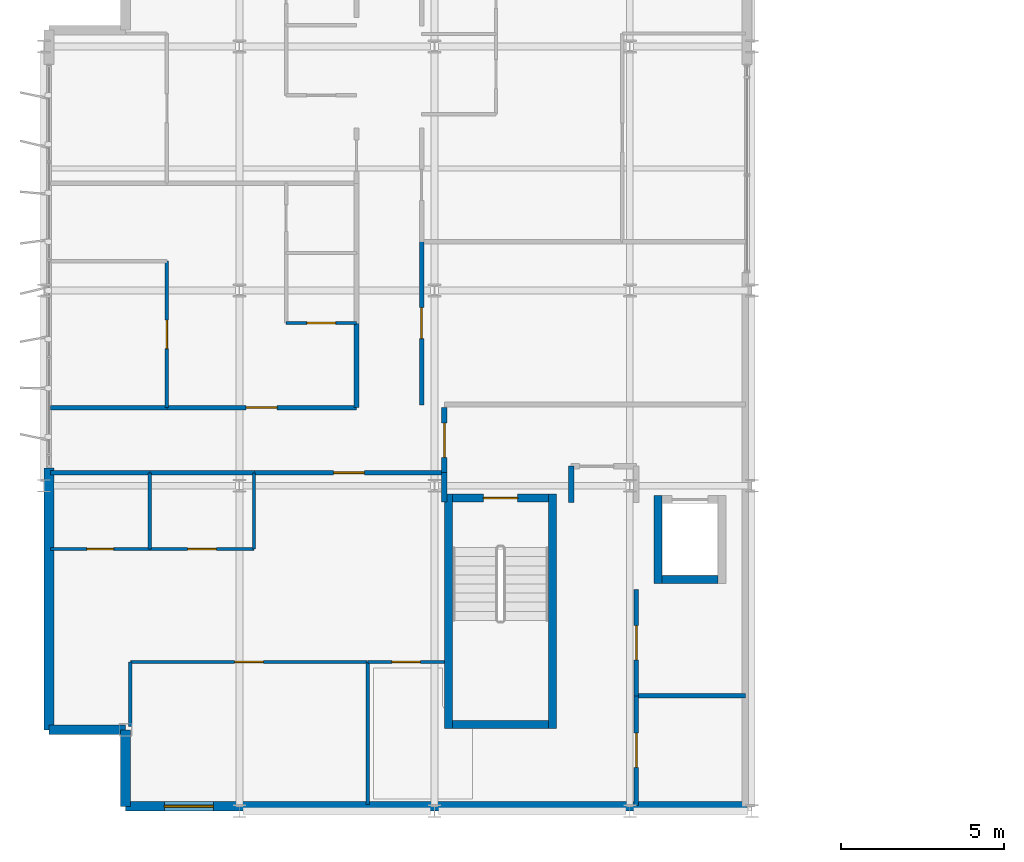
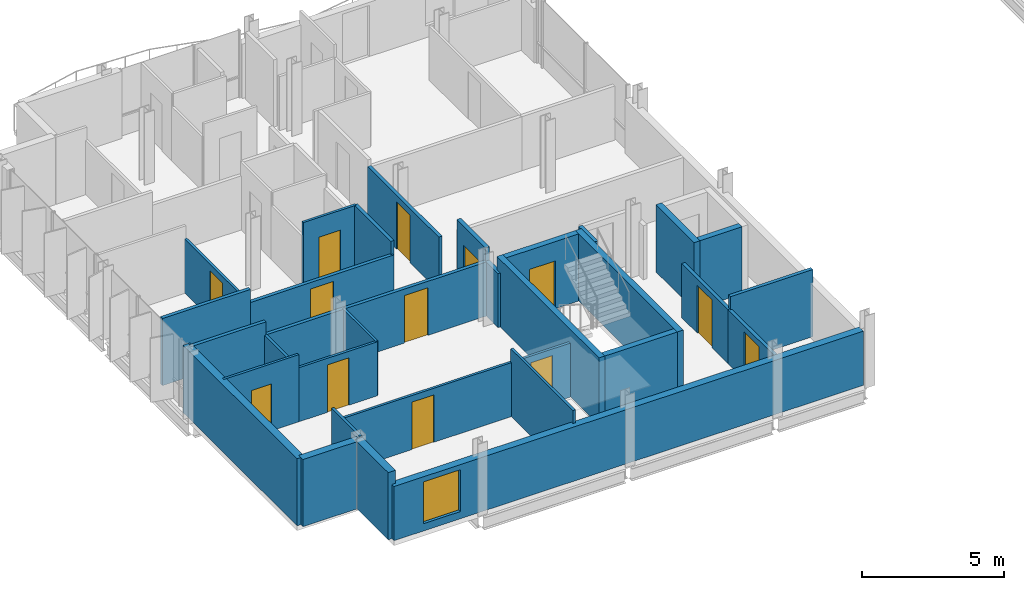
# One storey, part 21 of 29: 33 walls, 13 doors, 1 window, 14 openings.
"""IFC4 building model written with IfcOpenShell, lengths in metres."""

from ifc_helpers import new_model, si_unit, direction, frame, frame_2d, origin, place, context, subcontext, project, spatial, rectangle, extrude, material, layer, layer_set, type_object, element, fill, save


model = new_model("IFC4")

# Units and contexts
model_context = context("Model", 3, precision=1e-05, world=origin(), true_north=direction((0.0, 1.0)))
body_context = subcontext(model_context, "Body", "Model", "MODEL_VIEW")
ifc_project = project(units=[si_unit("LENGTHUNIT", "METRE"), si_unit("AREAUNIT", "SQUARE_METRE"), si_unit("VOLUMEUNIT", "CUBIC_METRE"), si_unit("PLANEANGLEUNIT", "RADIAN"), si_unit("MASSUNIT", "GRAM", prefix="KILO")], contexts=[model_context])

# Site, building, storey
site_placement = place(None, origin())
site = spatial("IfcSite", under=ifc_project, at=site_placement, CompositionType="ELEMENT")
building_placement = place(site_placement, origin())
building = spatial("IfcBuilding", under=site, at=building_placement, Name="Brevholm Reach", CompositionType="ELEMENT")
storey_placement = place(building_placement, frame((0.0, 0.0, 198.699951171875)))
storey = spatial("IfcBuildingStorey", under=building, at=storey_placement, Name="L60", CompositionType="ELEMENT", Elevation=198.699951171875)

# Walls
ifc_material_1 = material(Name="Concrete C45/55", Category="concrete")
ifc_layer_1 = layer(ifc_material_1, 0.239990234375)
ifc_layer_set_1 = layer_set([ifc_layer_1], Name="Concrete C45/55")
wall_type_1 = type_object("IfcWallType", Name="WAL-COR-240", PredefinedType="SHEAR", material=ifc_layer_set_1)
for number, where, z_axis, x_axis, name in (
    (1, (12.429931640625, 2.5400390625, 0.0), (0.0, 0.0, 1.0), (0.0, 1.0, 0.0), "L60 Escape Stair ST-1 Core Wall W"),
    (2, (15.6201171875, 2.5400390625, 0.0), (0.0, 0.0, 1.0), (0.0, 1.0, 0.0), "L60 Escape Stair ST-1 Core Wall E"),
):
    element("IfcWall", number, at=place(storey_placement, frame(where, z_axis=z_axis, x_axis=x_axis)), inside=storey, type_object=wall_type_1, Name=name, PredefinedType="SHEAR", context=body_context, shape_type="SweptSolid", body=[
        extrude(rectangle(XDim=7.199951171875, YDim=0.239990234375, at=frame_2d((3.60009765625, 0.0))), origin(), (0.0, 0.0, 1.0), 2.89013671875),
    ])
wall_1_placement = place(storey_placement, frame((12.550048828125, 2.659912109375, 0.0), z_axis=(0.0, 0.0, 1.0), x_axis=(1.0, 0.0, 0.0)))
element("IfcWall", 3, at=wall_1_placement, inside=storey, type_object=wall_type_1, Name="L60 Escape Stair ST-1 Core Wall S", PredefinedType="SHEAR", context=body_context, shape_type="SweptSolid", body=[
    extrude(rectangle(XDim=2.949951171875, YDim=0.239990234375, at=frame_2d((1.47509765625, 0.0))), origin(), (0.0, 0.0, 1.0), 2.89013671875),
])

# Wall, opening, door
wall_2_placement = place(storey_placement, frame((15.5, 9.6201171875, 0.0), z_axis=(0.0, 0.0, 1.0), x_axis=(-1.0, 0.0, 0.0)))
wall_2 = element("IfcWall", 4, at=wall_2_placement, inside=storey, type_object=wall_type_1, Name="L60 Escape Stair ST-1 Core Wall N", PredefinedType="SHEAR", context=body_context, shape_type="SweptSolid", body=[
    extrude(rectangle(XDim=2.949951171875, YDim=0.239990234375, at=frame_2d((1.47509765625, 0.0))), origin(), (0.0, 0.0, 1.0), 2.89013671875),
])
opening_1_placement = place(wall_2_placement, frame((0.949951171875, 0.0, 0.0)))
opening_1 = element("IfcOpeningElement", 5, at=opening_1_placement, cuts=wall_2, Name="Opening SD-ST-1", PredefinedType="OPENING", context=body_context, shape_type="SweptSolid", body=[
    extrude(rectangle(XDim=1.050048828125, YDim=2.06005859375, at=frame_2d((0.52490234375, 1.030029296875))), frame((0.0, 0.1298828125, 0.0), z_axis=(0.0, -1.0, 0.0), x_axis=(1.0, 0.0, 0.0)), (0.0, 0.0, 1.0), 0.260009765625),
])
ifc_material_2 = material(Name="Hardwood-Lipped Steel-Core Fire and Smoke Door", Category="steel")
door_type_1 = type_object("IfcDoorType", Name="DOR-INT-FD60S", OperationType="NOTDEFINED", PredefinedType="DOOR", material=ifc_material_2)
door_1_placement = place(opening_1_placement, origin())
door_1 = element("IfcDoor", 6, at=door_1_placement, inside=storey, type_object=door_type_1, Name="L60 Protected Stair ST-1 Lobby Door", OperationType="SINGLE_SWING_RIGHT", OverallHeight=2.06005859375, OverallWidth=1.050048828125, PredefinedType="DOOR", context=body_context, shape_type="SweptSolid", body=[
    extrude(rectangle(XDim=1.050048828125, YDim=2.06005859375, at=frame_2d((0.52490234375, 1.030029296875))), frame((0.0, 0.02490234375, 0.0), z_axis=(0.0, -1.0, 0.0), x_axis=(1.0, 0.0, 0.0)), (0.0, 0.0, 1.0), 0.050048828125),
])
fill(opening_1, door_1)

# Walls
wall_3_placement = place(storey_placement, frame((18.8701171875, 7.0, 0.0), z_axis=(0.0, 0.0, 1.0), x_axis=(0.0, 1.0, 0.0)))
element("IfcWall", 7, at=wall_3_placement, inside=storey, type_object=wall_type_1, Name="L60 Lift FFL-1 Shaft Wall W", PredefinedType="SHEAR", context=body_context, shape_type="SweptSolid", body=[
    extrude(rectangle(XDim=2.699951171875, YDim=0.239990234375, at=frame_2d((1.35009765625, 0.0))), origin(), (0.0, 0.0, 1.0), 2.89013671875),
])
wall_4_placement = place(storey_placement, frame((18.989990234375, 7.1201171875, 0.0), z_axis=(0.0, 0.0, 1.0), x_axis=(1.0, 0.0, 0.0)))
element("IfcWall", 8, at=wall_4_placement, inside=storey, type_object=wall_type_1, Name="L60 Lift FFL-1 Shaft Wall S", PredefinedType="SHEAR", context=body_context, shape_type="SweptSolid", body=[
    extrude(rectangle(XDim=1.719970703125, YDim=0.239990234375, at=frame_2d((0.85986328125, 0.0))), origin(), (0.0, 0.0, 1.0), 2.89013671875),
])
ifc_material_3 = material(Name="Concrete C40/50", Category="concrete")
ifc_layer_2 = layer(ifc_material_3, 0.300048828125)
ifc_layer_set_2 = layer_set([ifc_layer_2], Name="Concrete C40/50")
wall_type_2 = type_object("IfcWallType", Name="WAL-EXT-300", PredefinedType="STANDARD", material=ifc_layer_set_2)
for number, where, z_axis, x_axis, name in (
    (9, (2.5, 2.5, 0.0), (0.0, 0.0, 1.0), (0.0, -1.0, 0.0), "L60 Facade Wall WAL-L60-WW-CSW1"),
    (10, (0.14990234375, 2.5, 0.0), (0.0, 0.0, 1.0), (1.0, 0.0, 0.0), "L60 Facade Wall WAL-L60-WW-CSW2"),
):
    element("IfcWall", number, at=place(storey_placement, frame(where, z_axis=z_axis, x_axis=x_axis)), inside=storey, type_object=wall_type_2, Name=name, PredefinedType="STANDARD", context=body_context, shape_type="SweptSolid", body=[
        extrude(rectangle(XDim=2.35009765625, YDim=0.300048828125, at=frame_2d((1.175048828125, 0.0))), origin(), (0.0, 0.0, 1.0), 2.89013671875),
    ])

# Wall, opening, window
wall_5_placement = place(storey_placement, frame((2.5, 0.14990234375, 0.0), z_axis=(0.0, 0.0, 1.0), x_axis=(1.0, 0.0, 0.0)))
wall_5 = element("IfcWall", 11, at=wall_5_placement, inside=storey, type_object=wall_type_2, Name="L60 Facade Wall WAL-L60-WW-S", PredefinedType="STANDARD", context=body_context, shape_type="SweptSolid", body=[
    extrude(rectangle(XDim=19.10009765625, YDim=0.300048828125, at=frame_2d((9.550048828125, 0.0))), origin(), (0.0, 0.0, 1.0), 2.33203125),
])
opening_2_placement = place(wall_5_placement, frame((1.199951171875, 0.0, 0.31201171875)))
opening_2 = element("IfcOpeningElement", 12, at=opening_2_placement, cuts=wall_5, Name="Opening WN-05", PredefinedType="OPENING", context=body_context, shape_type="SweptSolid", body=[
    extrude(rectangle(XDim=1.5, YDim=1.800048828125, at=frame_2d((0.75, 0.89990234375))), frame((0.0, 0.159912109375, 0.0), z_axis=(0.0, -1.0, 0.0), x_axis=(1.0, 0.0, 0.0)), (0.0, 0.0, 1.0), 0.320068359375),
])
ifc_material_4 = material(Name="Dark Anodised Aluminium and Solar-Control IGU Glass", Category="aluminium")
window_type = type_object("IfcWindowType", Name="WIN-RES-1500", PartitioningType="SINGLE_PANEL", PredefinedType="WINDOW", material=ifc_material_4)
window_placement = place(opening_2_placement, origin())
window = element("IfcWindow", 13, at=window_placement, inside=storey, type_object=window_type, Name="L60 Window WIN-L60-WWS-1", OverallHeight=1.800048828125, OverallWidth=1.5, PartitioningType="SINGLE_PANEL", PredefinedType="WINDOW", context=body_context, shape_type="SweptSolid", body=[
    extrude(rectangle(XDim=1.5, YDim=1.800048828125, at=frame_2d((0.75, 0.89990234375))), frame((0.0, 0.030029296875, 0.0), z_axis=(0.0, -1.0, 0.0), x_axis=(1.0, 0.0, 0.0)), (0.0, 0.0, 1.0), 0.06005859375),
])
fill(opening_2, window)

# Walls
wall_6_placement = place(storey_placement, frame((0.14990234375, 10.550048828125, 0.0), z_axis=(0.0, 0.0, 1.0), x_axis=(0.0, -1.0, 0.0)))
element("IfcWall", 14, at=wall_6_placement, inside=storey, type_object=wall_type_2, Name="L60 Facade Wall WAL-L60-WW-WS", PredefinedType="STANDARD", context=body_context, shape_type="SweptSolid", body=[
    extrude(rectangle(XDim=8.050048828125, YDim=0.300048828125, at=frame_2d((4.02490234375, 0.0))), origin(), (0.0, 0.0, 1.0), 2.89013671875),
])
ifc_material_5 = material(Name="Moisture-Resistant Acoustic Gypsum Stud Partition 100 mm", Category="gypsum")
ifc_layer_3 = layer(ifc_material_5, 0.10009765625)
ifc_layer_set_3 = layer_set([ifc_layer_3], Name="Moisture-Resistant Acoustic Gypsum Stud Partition 100 mm")
wall_type_3 = type_object("IfcWallType", Name="WAL-PRT-100", PredefinedType="PARTITIONING", material=ifc_layer_set_3)
wall_7_placement = place(storey_placement, frame((3.25, 8.053955078125, 0.0), z_axis=(0.0, 0.0, 1.0), x_axis=(0.0, 1.0, 0.0)))
element("IfcWall", 15, at=wall_7_placement, inside=storey, type_object=wall_type_3, Name="L60 Internal Partition 039", PredefinedType="PARTITIONING", context=body_context, shape_type="SweptSolid", body=[
    extrude(rectangle(XDim=2.342041015625, YDim=0.10009765625, at=frame_2d((1.1708984375, 0.0))), origin(), (0.0, 0.0, 1.0), 2.325439453125),
])

# Wall, opening, door
wall_8_placement = place(storey_placement, frame((0.199951171875, 8.053955078125, 0.0), z_axis=(0.0, 0.0, 1.0), x_axis=(1.0, 0.0, 0.0)))
wall_8 = element("IfcWall", 16, at=wall_8_placement, inside=storey, type_object=wall_type_3, Name="L60 Internal Partition 040", PredefinedType="PARTITIONING", context=body_context, shape_type="SweptSolid", body=[
    extrude(rectangle(XDim=3.050048828125, YDim=0.10009765625, at=frame_2d((1.52490234375, 0.0))), origin(), (0.0, 0.0, 1.0), 2.89013671875),
])
opening_3_placement = place(wall_8_placement, frame((1.114990234375, 0.0, 0.0)))
opening_3 = element("IfcOpeningElement", 17, at=opening_3_placement, cuts=wall_8, Name="Opening ID-03", PredefinedType="OPENING", context=body_context, shape_type="SweptSolid", body=[
    extrude(rectangle(XDim=0.820068359375, YDim=2.02001953125, at=frame_2d((0.41015625, 1.010009765625))), frame((0.0, 0.06005859375, 0.0), z_axis=(0.0, -1.0, 0.0), x_axis=(1.0, 0.0, 0.0)), (0.0, 0.0, 1.0), 0.1201171875),
])
ifc_material_6 = material(Name="Moisture-Resistant Painted Timber Internal Bathroom Door", Category="wood")
door_type_2 = type_object("IfcDoorType", Name="DOR-BATH-820", OperationType="NOTDEFINED", PredefinedType="DOOR", material=ifc_material_6)
door_2_placement = place(opening_3_placement, origin())
door_2 = element("IfcDoor", 18, at=door_2_placement, inside=storey, type_object=door_type_2, Name="L60 Internal Door 019", OperationType="SINGLE_SWING_RIGHT", OverallHeight=2.02001953125, OverallWidth=0.820068359375, PredefinedType="DOOR", context=body_context, shape_type="SweptSolid", body=[
    extrude(rectangle(XDim=0.820068359375, YDim=2.02001953125, at=frame_2d((0.41015625, 1.010009765625))), frame((0.0, 0.02490234375, 0.0), z_axis=(0.0, -1.0, 0.0), x_axis=(1.0, 0.0, 0.0)), (0.0, 0.0, 1.0), 0.050048828125),
])
fill(opening_3, door_2)

wall_9_placement = place(storey_placement, frame((3.25390625, 8.053955078125, 0.0), z_axis=(0.0, 0.0, 1.0), x_axis=(1.0, 0.0, 0.0)))
wall_9 = element("IfcWall", 19, at=wall_9_placement, inside=storey, type_object=wall_type_3, Name="L60 Internal Partition 041", PredefinedType="PARTITIONING", context=body_context, shape_type="SweptSolid", body=[
    extrude(rectangle(XDim=3.196044921875, YDim=0.10009765625, at=frame_2d((1.59814453125, 0.0))), origin(), (0.0, 0.0, 1.0), 2.325439453125),
])
opening_4_placement = place(wall_9_placement, frame((1.157958984375, 0.0, 0.0)))
opening_4 = element("IfcOpeningElement", 20, at=opening_4_placement, cuts=wall_9, Name="Opening ID-01", PredefinedType="OPENING", context=body_context, shape_type="SweptSolid", body=[
    extrude(rectangle(XDim=0.8798828125, YDim=2.0400390625, at=frame_2d((0.43994140625, 1.02001953125))), frame((0.0, 0.06005859375, 0.0), z_axis=(0.0, -1.0, 0.0), x_axis=(1.0, 0.0, 0.0)), (0.0, 0.0, 1.0), 0.1201171875),
])
ifc_material_7 = material(Name="Lacquered Ash Solid-Core Acoustic Internal Door", Category="timber")
door_type_3 = type_object("IfcDoorType", Name="DOR-INT-880", OperationType="NOTDEFINED", PredefinedType="DOOR", material=ifc_material_7)
door_3_placement = place(opening_4_placement, origin())
door_3 = element("IfcDoor", 21, at=door_3_placement, inside=storey, type_object=door_type_3, Name="L60 Internal Door 020", OperationType="SINGLE_SWING_LEFT", OverallHeight=2.0400390625, OverallWidth=0.8798828125, PredefinedType="DOOR", context=body_context, shape_type="SweptSolid", body=[
    extrude(rectangle(XDim=0.8798828125, YDim=2.0400390625, at=frame_2d((0.43994140625, 1.02001953125))), frame((0.0, 0.02490234375, 0.0), z_axis=(0.0, -1.0, 0.0), x_axis=(1.0, 0.0, 0.0)), (0.0, 0.0, 1.0), 0.050048828125),
])
fill(opening_4, door_3)

# Walls
wall_10_placement = place(storey_placement, frame((6.449951171875, 8.053955078125, 0.0), z_axis=(0.0, 0.0, 1.0), x_axis=(0.0, 1.0, 0.0)))
element("IfcWall", 22, at=wall_10_placement, inside=storey, type_object=wall_type_3, Name="L60 Internal Partition 042", PredefinedType="PARTITIONING", context=body_context, shape_type="SweptSolid", body=[
    extrude(rectangle(XDim=2.342041015625, YDim=0.10009765625, at=frame_2d((1.1708984375, 0.0))), origin(), (0.0, 0.0, 1.0), 2.325439453125),
])
wall_11_placement = place(storey_placement, frame((9.946044921875, 0.199951171875, 0.0), z_axis=(0.0, 0.0, 1.0), x_axis=(0.0, 1.0, 0.0)))
element("IfcWall", 23, at=wall_11_placement, inside=storey, type_object=wall_type_3, Name="L60 Internal Partition 043", PredefinedType="PARTITIONING", context=body_context, shape_type="SweptSolid", body=[
    extrude(rectangle(XDim=4.385986328125, YDim=0.10009765625, at=frame_2d((2.19287109375, 0.0))), origin(), (0.0, 0.0, 1.0), 2.89013671875),
])
wall_12_placement = place(storey_placement, frame((2.64990234375, 2.599365234375, 0.0), z_axis=(0.0, 0.0, 1.0), x_axis=(0.0, 1.0, 0.0)))
element("IfcWall", 24, at=wall_12_placement, inside=storey, type_object=wall_type_3, Name="L60 Internal Partition 044", PredefinedType="PARTITIONING", context=body_context, shape_type="SweptSolid", body=[
    extrude(rectangle(XDim=1.986572265625, YDim=0.10009765625, at=frame_2d((0.9931640625, 0.0))), origin(), (0.0, 0.0, 1.0), 2.89013671875),
])

# Wall, opening, door
wall_13_placement = place(storey_placement, frame((2.64990234375, 4.5859375, 0.0), z_axis=(0.0, 0.0, 1.0), x_axis=(1.0, 0.0, 0.0)))
wall_13 = element("IfcWall", 25, at=wall_13_placement, inside=storey, type_object=wall_type_3, Name="L60 Internal Partition 045", PredefinedType="PARTITIONING", context=body_context, shape_type="SweptSolid", body=[
    extrude(rectangle(XDim=7.296142578125, YDim=0.10009765625, at=frame_2d((3.64794921875, 0.0))), origin(), (0.0, 0.0, 1.0), 2.325439453125),
])
opening_5_placement = place(wall_13_placement, frame((3.2080078125, 0.0, 0.0)))
opening_5 = element("IfcOpeningElement", 26, at=opening_5_placement, cuts=wall_13, Name="Opening ID-01", PredefinedType="OPENING", context=body_context, shape_type="SweptSolid", body=[
    extrude(rectangle(XDim=0.8798828125, YDim=2.0400390625, at=frame_2d((0.43994140625, 1.02001953125))), frame((0.0, 0.06005859375, 0.0), z_axis=(0.0, -1.0, 0.0), x_axis=(1.0, 0.0, 0.0)), (0.0, 0.0, 1.0), 0.1201171875),
])
door_4_placement = place(opening_5_placement, origin())
door_4 = element("IfcDoor", 27, at=door_4_placement, inside=storey, type_object=door_type_3, Name="L60 Internal Door 021", OperationType="SINGLE_SWING_RIGHT", OverallHeight=2.0400390625, OverallWidth=0.8798828125, PredefinedType="DOOR", context=body_context, shape_type="SweptSolid", body=[
    extrude(rectangle(XDim=0.8798828125, YDim=2.0400390625, at=frame_2d((0.43994140625, 1.02001953125))), frame((0.0, 0.02490234375, 0.0), z_axis=(0.0, -1.0, 0.0), x_axis=(1.0, 0.0, 0.0)), (0.0, 0.0, 1.0), 0.050048828125),
])
fill(opening_5, door_4)

wall_14_placement = place(storey_placement, frame((9.949951171875, 4.5859375, 0.0), z_axis=(0.0, 0.0, 1.0), x_axis=(1.0, 0.0, 0.0)))
wall_14 = element("IfcWall", 28, at=wall_14_placement, inside=storey, type_object=wall_type_3, Name="L60 Internal Partition 046", PredefinedType="PARTITIONING", context=body_context, shape_type="SweptSolid", body=[
    extrude(rectangle(XDim=2.35009765625, YDim=0.10009765625, at=frame_2d((1.175048828125, 0.0))), origin(), (0.0, 0.0, 1.0), 2.325439453125),
])
opening_6_placement = place(wall_14_placement, frame((0.735107421875, 0.0, 0.0)))
opening_6 = element("IfcOpeningElement", 29, at=opening_6_placement, cuts=wall_14, Name="Opening ID-01", PredefinedType="OPENING", context=body_context, shape_type="SweptSolid", body=[
    extrude(rectangle(XDim=0.8798828125, YDim=2.0400390625, at=frame_2d((0.43994140625, 1.02001953125))), frame((0.0, 0.06005859375, 0.0), z_axis=(0.0, -1.0, 0.0), x_axis=(1.0, 0.0, 0.0)), (0.0, 0.0, 1.0), 0.1201171875),
])
door_5_placement = place(opening_6_placement, origin())
door_5 = element("IfcDoor", 30, at=door_5_placement, inside=storey, type_object=door_type_3, Name="L60 Internal Door 022", OperationType="SINGLE_SWING_LEFT", OverallHeight=2.0400390625, OverallWidth=0.8798828125, PredefinedType="DOOR", context=body_context, shape_type="SweptSolid", body=[
    extrude(rectangle(XDim=0.8798828125, YDim=2.0400390625, at=frame_2d((0.43994140625, 1.02001953125))), frame((0.0, 0.02490234375, 0.0), z_axis=(0.0, -1.0, 0.0), x_axis=(1.0, 0.0, 0.0)), (0.0, 0.0, 1.0), 0.050048828125),
])
fill(opening_6, door_5)

wall_15_placement = place(storey_placement, frame((7.43798828125, 15.0, 0.0), z_axis=(0.0, 0.0, 1.0), x_axis=(1.0, 0.0, 0.0)))
wall_15 = element("IfcWall", 31, at=wall_15_placement, inside=storey, type_object=wall_type_3, Name="L60 Internal Partition 050", PredefinedType="PARTITIONING", context=body_context, shape_type="SweptSolid", body=[
    extrude(rectangle(XDim=2.157958984375, YDim=0.10009765625, at=frame_2d((1.0791015625, 0.0))), origin(), (0.0, 0.0, 1.0), 2.89013671875),
])
opening_7_placement = place(wall_15_placement, frame((0.638916015625, 0.0, 0.0)))
opening_7 = element("IfcOpeningElement", 32, at=opening_7_placement, cuts=wall_15, Name="Opening ID-01", PredefinedType="OPENING", context=body_context, shape_type="SweptSolid", body=[
    extrude(rectangle(XDim=0.8798828125, YDim=2.0400390625, at=frame_2d((0.43994140625, 1.02001953125))), frame((0.0, 0.06005859375, 0.0), z_axis=(0.0, -1.0, 0.0), x_axis=(1.0, 0.0, 0.0)), (0.0, 0.0, 1.0), 0.1201171875),
])
door_6_placement = place(opening_7_placement, origin())
door_6 = element("IfcDoor", 33, at=door_6_placement, inside=storey, type_object=door_type_3, Name="L60 Internal Door 024", OperationType="SINGLE_SWING_LEFT", OverallHeight=2.0400390625, OverallWidth=0.8798828125, PredefinedType="DOOR", context=body_context, shape_type="SweptSolid", body=[
    extrude(rectangle(XDim=0.8798828125, YDim=2.0400390625, at=frame_2d((0.43994140625, 1.02001953125))), frame((0.0, 0.02490234375, 0.0), z_axis=(0.0, -1.0, 0.0), x_axis=(1.0, 0.0, 0.0)), (0.0, 0.0, 1.0), 0.050048828125),
])
fill(opening_7, door_6)

wall_16_placement = place(storey_placement, frame((3.77197265625, 12.404052734375, 0.0), z_axis=(0.0, 0.0, 1.0), x_axis=(0.0, 1.0, 0.0)))
wall_16 = element("IfcWall", 34, at=wall_16_placement, inside=storey, type_object=wall_type_3, Name="L60 Internal Partition 052", PredefinedType="PARTITIONING", context=body_context, shape_type="SweptSolid", body=[
    extrude(rectangle(XDim=4.495849609375, YDim=0.10009765625, at=frame_2d((2.248046875, 0.0))), origin(), (0.0, 0.0, 1.0), 2.325439453125),
])
opening_8_placement = place(wall_16_placement, frame((1.80810546875, 0.0, 0.0)))
opening_8 = element("IfcOpeningElement", 35, at=opening_8_placement, cuts=wall_16, Name="Opening ID-01", PredefinedType="OPENING", context=body_context, shape_type="SweptSolid", body=[
    extrude(rectangle(XDim=0.8798828125, YDim=2.0400390625, at=frame_2d((0.43994140625, 1.02001953125))), frame((0.0, 0.06005859375, 0.0), z_axis=(0.0, -1.0, 0.0), x_axis=(1.0, 0.0, 0.0)), (0.0, 0.0, 1.0), 0.1201171875),
])
door_7_placement = place(opening_8_placement, origin())
door_7 = element("IfcDoor", 36, at=door_7_placement, inside=storey, type_object=door_type_3, Name="L60 Internal Door 025", OperationType="SINGLE_SWING_RIGHT", OverallHeight=2.0400390625, OverallWidth=0.8798828125, PredefinedType="DOOR", context=body_context, shape_type="SweptSolid", body=[
    extrude(rectangle(XDim=0.8798828125, YDim=2.0400390625, at=frame_2d((0.43994140625, 1.02001953125))), frame((0.0, 0.02490234375, 0.0), z_axis=(0.0, -1.0, 0.0), x_axis=(1.0, 0.0, 0.0)), (0.0, 0.0, 1.0), 0.050048828125),
])
fill(opening_8, door_7)

ifc_material_8 = material(Name="Twin-Stud Acoustic Fire-Rated Gypsum Partition 140 mm", Category="gypsum")
ifc_layer_4 = layer(ifc_material_8, 0.139892578125)
ifc_layer_set_4 = layer_set([ifc_layer_4], Name="Twin-Stud Acoustic Fire-Rated Gypsum Partition 140 mm")
wall_type_4 = type_object("IfcWallType", Name="WAL-PRT-140", PredefinedType="PARTITIONING", material=ifc_layer_set_4)
wall_17_placement = place(storey_placement, frame((18.199951171875, 0.179931640625, 0.0), z_axis=(0.0, 0.0, 1.0), x_axis=(0.0, 1.0, 0.0)))
wall_17 = element("IfcWall", 37, at=wall_17_placement, inside=storey, type_object=wall_type_4, Name="L60 Internal Partition 001", PredefinedType="PARTITIONING", context=body_context, shape_type="SweptSolid", body=[
    extrude(rectangle(XDim=3.38134765625, YDim=0.139892578125, at=frame_2d((1.690673828125, 0.0))), origin(), (0.0, 0.0, 1.0), 2.325439453125),
])
opening_9_placement = place(wall_17_placement, frame((1.16552734375, 0.0, 0.0)))
opening_9 = element("IfcOpeningElement", 38, at=opening_9_placement, cuts=wall_17, Name="Opening FD-01", PredefinedType="OPENING", context=body_context, shape_type="SweptSolid", body=[
    extrude(rectangle(XDim=1.050048828125, YDim=2.06005859375, at=frame_2d((0.52490234375, 1.030029296875))), frame((0.0, 0.079833984375, 0.0), z_axis=(0.0, -1.0, 0.0), x_axis=(1.0, 0.0, 0.0)), (0.0, 0.0, 1.0), 0.159912109375),
])
door_8_placement = place(opening_9_placement, origin())
door_8 = element("IfcDoor", 39, at=door_8_placement, inside=storey, type_object=door_type_1, Name="L60 Internal Door 001", OperationType="SINGLE_SWING_RIGHT", OverallHeight=2.06005859375, OverallWidth=1.050048828125, PredefinedType="DOOR", context=body_context, shape_type="SweptSolid", body=[
    extrude(rectangle(XDim=1.050048828125, YDim=2.06005859375, at=frame_2d((0.52490234375, 1.030029296875))), frame((0.0, 0.02490234375, 0.0), z_axis=(0.0, -1.0, 0.0), x_axis=(1.0, 0.0, 0.0)), (0.0, 0.0, 1.0), 0.050048828125),
])
fill(opening_9, door_8)

wall_18_placement = place(storey_placement, frame((18.199951171875, 3.542724609375, 0.0), z_axis=(0.0, 0.0, 1.0), x_axis=(0.0, 1.0, 0.0)))
wall_18 = element("IfcWall", 40, at=wall_18_placement, inside=storey, type_object=wall_type_4, Name="L60 Internal Partition 002", PredefinedType="PARTITIONING", context=body_context, shape_type="SweptSolid", body=[
    extrude(rectangle(XDim=3.2685546875, YDim=0.139892578125, at=frame_2d((1.63427734375, 0.0))), origin(), (0.0, 0.0, 1.0), 2.325439453125),
])
opening_10_placement = place(wall_18_placement, frame((1.109375, 0.0, 0.0)))
opening_10 = element("IfcOpeningElement", 41, at=opening_10_placement, cuts=wall_18, Name="Opening FD-01", PredefinedType="OPENING", context=body_context, shape_type="SweptSolid", body=[
    extrude(rectangle(XDim=1.050048828125, YDim=2.06005859375, at=frame_2d((0.52490234375, 1.030029296875))), frame((0.0, 0.079833984375, 0.0), z_axis=(0.0, -1.0, 0.0), x_axis=(1.0, 0.0, 0.0)), (0.0, 0.0, 1.0), 0.159912109375),
])
door_9_placement = place(opening_10_placement, origin())
door_9 = element("IfcDoor", 42, at=door_9_placement, inside=storey, type_object=door_type_1, Name="L60 Internal Door 002", OperationType="SINGLE_SWING_LEFT", OverallHeight=2.06005859375, OverallWidth=1.050048828125, PredefinedType="DOOR", context=body_context, shape_type="SweptSolid", body=[
    extrude(rectangle(XDim=1.050048828125, YDim=2.06005859375, at=frame_2d((0.52490234375, 1.030029296875))), frame((0.0, 0.02490234375, 0.0), z_axis=(0.0, -1.0, 0.0), x_axis=(1.0, 0.0, 0.0)), (0.0, 0.0, 1.0), 0.050048828125),
])
fill(opening_10, door_9)

# Walls
wall_19_placement = place(storey_placement, frame((18.2041015625, 3.550048828125, 0.0), z_axis=(0.0, 0.0, 1.0), x_axis=(1.0, 0.0, 0.0)))
element("IfcWall", 43, at=wall_19_placement, inside=storey, type_object=wall_type_4, Name="L60 Internal Partition 011", PredefinedType="PARTITIONING", context=body_context, shape_type="SweptSolid", body=[
    extrude(rectangle(XDim=3.345947265625, YDim=0.139892578125, at=frame_2d((1.6728515625, 0.0))), origin(), (0.0, 0.0, 1.0), 2.89013671875),
])
wall_20_placement = place(storey_placement, frame((0.199951171875, 10.39990234375, 0.0), z_axis=(0.0, 0.0, 1.0), x_axis=(1.0, 0.0, 0.0)))
element("IfcWall", 44, at=wall_20_placement, inside=storey, type_object=wall_type_4, Name="L60 Internal Partition 016", PredefinedType="PARTITIONING", context=body_context, shape_type="SweptSolid", body=[
    extrude(rectangle(XDim=3.061279296875, YDim=0.139892578125, at=frame_2d((1.53076171875, 0.0))), origin(), (0.0, 0.0, 1.0), 2.89013671875),
])
wall_21_placement = place(storey_placement, frame((3.24267578125, 10.39990234375, 0.0), z_axis=(0.0, 0.0, 1.0), x_axis=(1.0, 0.0, 0.0)))
element("IfcWall", 45, at=wall_21_placement, inside=storey, type_object=wall_type_4, Name="L60 Internal Partition 017", PredefinedType="PARTITIONING", context=body_context, shape_type="SweptSolid", body=[
    extrude(rectangle(XDim=3.218505859375, YDim=0.139892578125, at=frame_2d((1.609375, 0.0))), origin(), (0.0, 0.0, 1.0), 2.325439453125),
])

# Wall, opening, door
wall_22_placement = place(storey_placement, frame((6.442626953125, 10.39990234375, 0.0), z_axis=(0.0, 0.0, 1.0), x_axis=(1.0, 0.0, 0.0)))
wall_22 = element("IfcWall", 46, at=wall_22_placement, inside=storey, type_object=wall_type_4, Name="L60 Internal Partition 018", PredefinedType="PARTITIONING", context=body_context, shape_type="SweptSolid", body=[
    extrude(rectangle(XDim=5.853271484375, YDim=0.139892578125, at=frame_2d((2.9267578125, 0.0))), origin(), (0.0, 0.0, 1.0), 2.325439453125),
])
opening_11_placement = place(wall_22_placement, frame((2.45166015625, 0.0, 0.0)))
opening_11 = element("IfcOpeningElement", 47, at=opening_11_placement, cuts=wall_22, Name="Opening ID-30", PredefinedType="OPENING", context=body_context, shape_type="SweptSolid", body=[
    extrude(rectangle(XDim=0.949951171875, YDim=2.050048828125, at=frame_2d((0.47509765625, 1.02490234375))), frame((0.0, 0.079833984375, 0.0), z_axis=(0.0, -1.0, 0.0), x_axis=(1.0, 0.0, 0.0)), (0.0, 0.0, 1.0), 0.159912109375),
])
ifc_material_9 = material(Name="European Oak Veneered Solid-Core Fire Entrance Door", Category="timber")
door_type_4 = type_object("IfcDoorType", Name="DOR-FLT-FD30S", OperationType="NOTDEFINED", PredefinedType="DOOR", material=ifc_material_9)
door_10_placement = place(opening_11_placement, origin())
door_10 = element("IfcDoor", 48, at=door_10_placement, inside=storey, type_object=door_type_4, Name="L60 Internal Door 009", OperationType="SINGLE_SWING_RIGHT", OverallHeight=2.050048828125, OverallWidth=0.949951171875, PredefinedType="DOOR", context=body_context, shape_type="SweptSolid", body=[
    extrude(rectangle(XDim=0.949951171875, YDim=2.050048828125, at=frame_2d((0.47509765625, 1.02490234375))), frame((0.0, 0.02490234375, 0.0), z_axis=(0.0, -1.0, 0.0), x_axis=(1.0, 0.0, 0.0)), (0.0, 0.0, 1.0), 0.050048828125),
])
fill(opening_11, door_10)

# Wall
wall_23_placement = place(storey_placement, frame((0.199951171875, 12.39990234375, 0.0), z_axis=(0.0, 0.0, 1.0), x_axis=(1.0, 0.0, 0.0)))
element("IfcWall", 49, at=wall_23_placement, inside=storey, type_object=wall_type_4, Name="L60 Internal Partition 019", PredefinedType="PARTITIONING", context=body_context, shape_type="SweptSolid", body=[
    extrude(rectangle(XDim=3.583251953125, YDim=0.139892578125, at=frame_2d((1.79150390625, 0.0))), origin(), (0.0, 0.0, 1.0), 2.89013671875),
])

# Wall, opening, door
wall_24_placement = place(storey_placement, frame((3.7646484375, 12.39990234375, 0.0), z_axis=(0.0, 0.0, 1.0), x_axis=(1.0, 0.0, 0.0)))
wall_24 = element("IfcWall", 50, at=wall_24_placement, inside=storey, type_object=wall_type_4, Name="L60 Internal Partition 020", PredefinedType="PARTITIONING", context=body_context, shape_type="SweptSolid", body=[
    extrude(rectangle(XDim=5.8427734375, YDim=0.139892578125, at=frame_2d((2.92138671875, 0.0))), origin(), (0.0, 0.0, 1.0), 2.325439453125),
])
opening_12_placement = place(wall_24_placement, frame((2.4462890625, 0.0, 0.0)))
opening_12 = element("IfcOpeningElement", 51, at=opening_12_placement, cuts=wall_24, Name="Opening ID-30", PredefinedType="OPENING", context=body_context, shape_type="SweptSolid", body=[
    extrude(rectangle(XDim=0.949951171875, YDim=2.050048828125, at=frame_2d((0.47509765625, 1.02490234375))), frame((0.0, 0.079833984375, 0.0), z_axis=(0.0, -1.0, 0.0), x_axis=(1.0, 0.0, 0.0)), (0.0, 0.0, 1.0), 0.159912109375),
])
door_11_placement = place(opening_12_placement, origin())
door_11 = element("IfcDoor", 52, at=door_11_placement, inside=storey, type_object=door_type_4, Name="L60 Internal Door 010", OperationType="SINGLE_SWING_LEFT", OverallHeight=2.050048828125, OverallWidth=0.949951171875, PredefinedType="DOOR", context=body_context, shape_type="SweptSolid", body=[
    extrude(rectangle(XDim=0.949951171875, YDim=2.050048828125, at=frame_2d((0.47509765625, 1.02490234375))), frame((0.0, 0.02490234375, 0.0), z_axis=(0.0, -1.0, 0.0), x_axis=(1.0, 0.0, 0.0)), (0.0, 0.0, 1.0), 0.050048828125),
])
fill(opening_12, door_11)

# Wall
wall_25_placement = place(storey_placement, frame((9.60009765625, 12.404052734375, 0.0), z_axis=(0.0, 0.0, 1.0), x_axis=(0.0, 1.0, 0.0)))
element("IfcWall", 53, at=wall_25_placement, inside=storey, type_object=wall_type_4, Name="L60 Internal Partition 023", PredefinedType="PARTITIONING", context=body_context, shape_type="SweptSolid", body=[
    extrude(rectangle(XDim=2.603271484375, YDim=0.139892578125, at=frame_2d((1.3017578125, 0.0))), origin(), (0.0, 0.0, 1.0), 2.89013671875),
])

# Wall, opening, door
wall_26_placement = place(storey_placement, frame((11.60009765625, 12.48876953125, 0.0), z_axis=(0.0, 0.0, 1.0), x_axis=(0.0, 1.0, 0.0)))
wall_26 = element("IfcWall", 54, at=wall_26_placement, inside=storey, type_object=wall_type_4, Name="L60 Internal Partition 026", PredefinedType="PARTITIONING", context=body_context, shape_type="SweptSolid", body=[
    extrude(rectangle(XDim=5.0185546875, YDim=0.139892578125, at=frame_2d((2.50927734375, 0.0))), origin(), (0.0, 0.0, 1.0), 2.325439453125),
])
opening_13_placement = place(wall_26_placement, frame((2.0341796875, 0.0, 0.0)))
opening_13 = element("IfcOpeningElement", 55, at=opening_13_placement, cuts=wall_26, Name="Opening ID-30", PredefinedType="OPENING", context=body_context, shape_type="SweptSolid", body=[
    extrude(rectangle(XDim=0.949951171875, YDim=2.050048828125, at=frame_2d((0.47509765625, 1.02490234375))), frame((0.0, 0.079833984375, 0.0), z_axis=(0.0, -1.0, 0.0), x_axis=(1.0, 0.0, 0.0)), (0.0, 0.0, 1.0), 0.159912109375),
])
door_12_placement = place(opening_13_placement, origin())
door_12 = element("IfcDoor", 56, at=door_12_placement, inside=storey, type_object=door_type_4, Name="L60 Internal Door 013", OperationType="SINGLE_SWING_RIGHT", OverallHeight=2.050048828125, OverallWidth=0.949951171875, PredefinedType="DOOR", context=body_context, shape_type="SweptSolid", body=[
    extrude(rectangle(XDim=0.949951171875, YDim=2.050048828125, at=frame_2d((0.47509765625, 1.02490234375))), frame((0.0, 0.02490234375, 0.0), z_axis=(0.0, -1.0, 0.0), x_axis=(1.0, 0.0, 0.0)), (0.0, 0.0, 1.0), 0.050048828125),
])
fill(opening_13, door_12)

# Wall
ifc_material_10 = material(Name="Twin-Frame Fire-Rated Gypsum Board and Mineral Wool 160 mm", Category="gypsum")
ifc_layer_5 = layer(ifc_material_10, 0.159912109375)
ifc_layer_set_5 = layer_set([ifc_layer_5], Name="Twin-Frame Fire-Rated Gypsum Board and Mineral Wool 160 mm")
wall_type_5 = type_object("IfcWallType", Name="WAL-PRT-160", PredefinedType="PARTITIONING", material=ifc_layer_set_5)
wall_27_placement = place(storey_placement, frame((16.199951171875, 9.48876953125, 0.0), z_axis=(0.0, 0.0, 1.0), x_axis=(0.0, 1.0, 0.0)))
element("IfcWall", 57, at=wall_27_placement, inside=storey, type_object=wall_type_5, Name="L60 Internal Partition 003", PredefinedType="PARTITIONING", context=body_context, shape_type="SweptSolid", body=[
    extrude(rectangle(XDim=1.111328125, YDim=0.159912109375, at=frame_2d((0.5556640625, 0.0))), origin(), (0.0, 0.0, 1.0), 2.325439453125),
])

# Wall, opening, door
wall_28_placement = place(storey_placement, frame((12.300048828125, 10.388671875, 0.0), z_axis=(0.0, 0.0, 1.0), x_axis=(0.0, 1.0, 0.0)))
wall_28 = element("IfcWall", 58, at=wall_28_placement, inside=storey, type_object=wall_type_5, Name="L60 Internal Partition 013", PredefinedType="PARTITIONING", context=body_context, shape_type="SweptSolid", body=[
    extrude(rectangle(XDim=2.022705078125, YDim=0.159912109375, at=frame_2d((1.01123046875, 0.0))), origin(), (0.0, 0.0, 1.0), 2.89013671875),
])
opening_14_placement = place(wall_28_placement, frame((0.486328125, 0.0, 0.0)))
opening_14 = element("IfcOpeningElement", 59, at=opening_14_placement, cuts=wall_28, Name="Opening FD-01", PredefinedType="OPENING", context=body_context, shape_type="SweptSolid", body=[
    extrude(rectangle(XDim=1.050048828125, YDim=2.06005859375, at=frame_2d((0.52490234375, 1.030029296875))), frame((0.0, 0.08984375, 0.0), z_axis=(0.0, -1.0, 0.0), x_axis=(1.0, 0.0, 0.0)), (0.0, 0.0, 1.0), 0.179931640625),
])
door_13_placement = place(opening_14_placement, origin())
door_13 = element("IfcDoor", 60, at=door_13_placement, inside=storey, type_object=door_type_1, Name="L60 Internal Door 008", OperationType="SINGLE_SWING_LEFT", OverallHeight=2.06005859375, OverallWidth=1.050048828125, PredefinedType="DOOR", context=body_context, shape_type="SweptSolid", body=[
    extrude(rectangle(XDim=1.050048828125, YDim=2.06005859375, at=frame_2d((0.52490234375, 1.030029296875))), frame((0.0, 0.02490234375, 0.0), z_axis=(0.0, -1.0, 0.0), x_axis=(1.0, 0.0, 0.0)), (0.0, 0.0, 1.0), 0.050048828125),
])
fill(opening_14, door_13)

# Wall
wall_29_placement = place(storey_placement, frame((12.300048828125, 9.5, 0.0), z_axis=(0.0, 0.0, 1.0), x_axis=(0.0, 1.0, 0.0)))
element("IfcWall", 61, at=wall_29_placement, inside=storey, type_object=wall_type_5, Name="L60 Internal Partition 014", PredefinedType="PARTITIONING", context=body_context, shape_type="SweptSolid", body=[
    extrude(rectangle(XDim=0.9072265625, YDim=0.159912109375, at=frame_2d((0.45361328125, 0.0))), origin(), (0.0, 0.0, 1.0), 2.325439453125),
])

save(model, "model.ifc")
